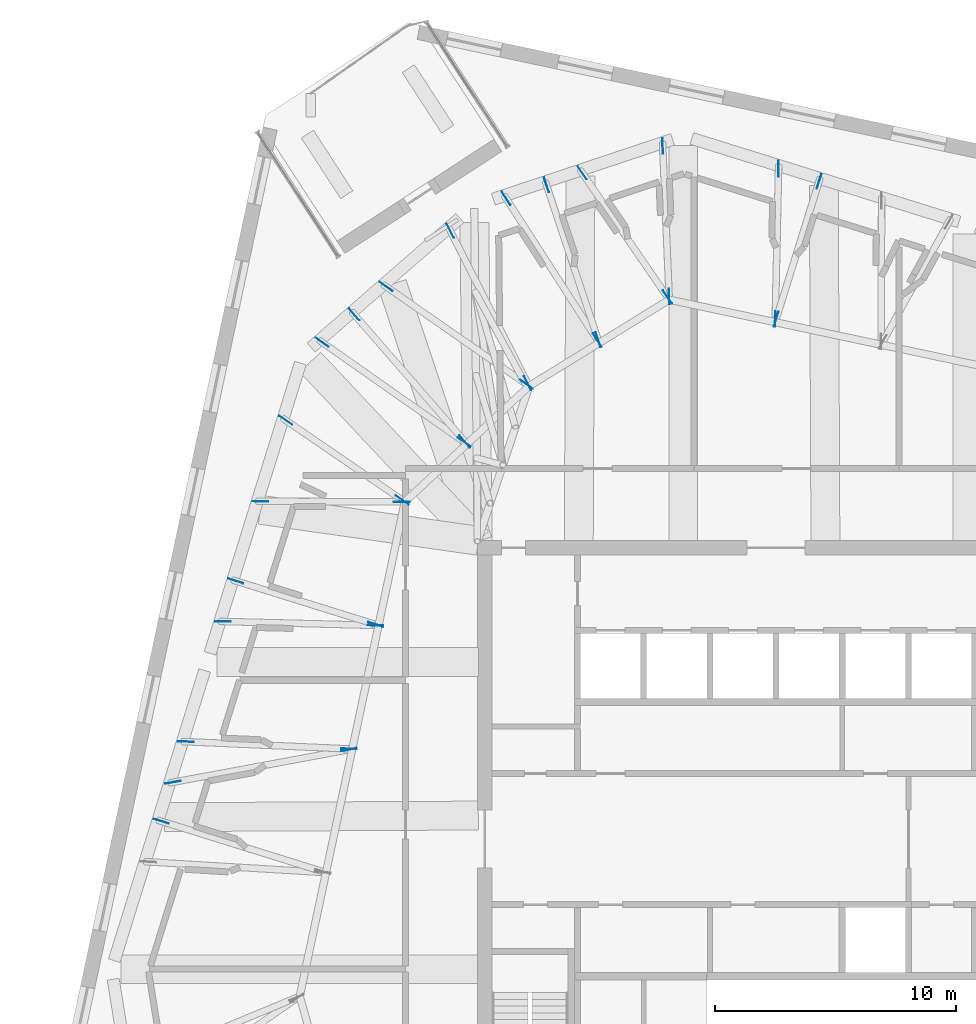
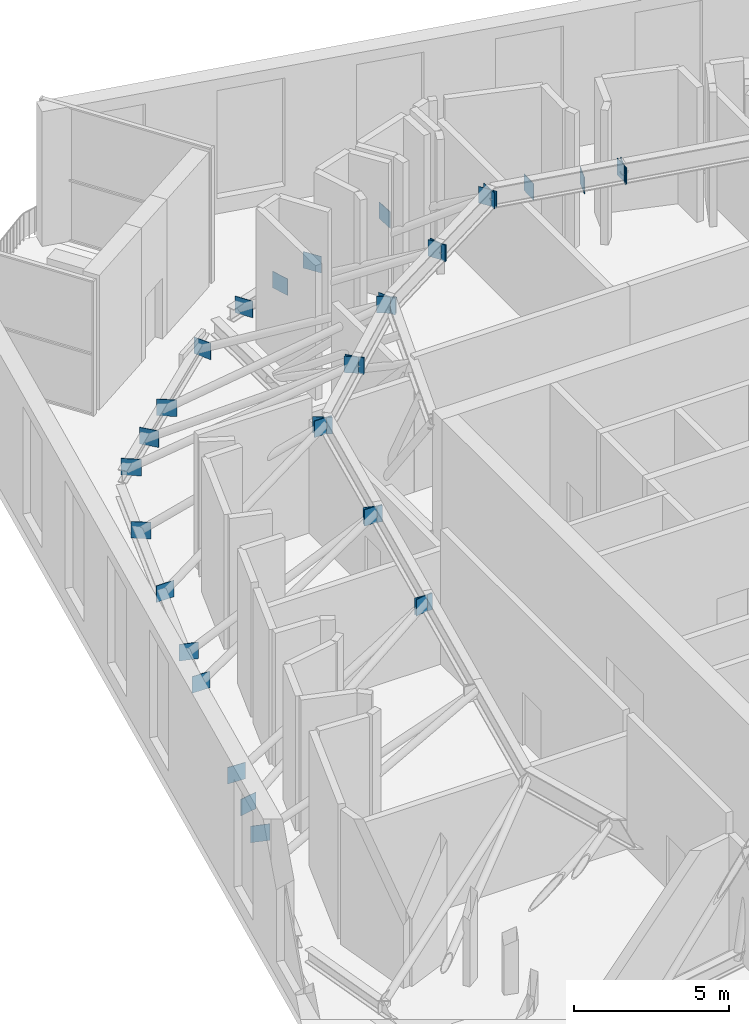
# One storey, part 16 of 19: 33 discrete accessories.
"""IFC4 building model written with IfcOpenShell, lengths in metres."""

from ifc_helpers import new_model, si_unit, direction, frame, origin, origin_2d, place, context, subcontext, project, spatial, rectangle, extrude, material, layer, layer_set, type_object, element, save


model = new_model("IFC4")

# Units and contexts
model_context = context("Model", 3, precision=1e-05, world=origin(), true_north=direction((0.0, 1.0)))
body_context = subcontext(model_context, "Body", "Model", "MODEL_VIEW")
ifc_project = project(units=[si_unit("LENGTHUNIT", "METRE"), si_unit("AREAUNIT", "SQUARE_METRE"), si_unit("VOLUMEUNIT", "CUBIC_METRE"), si_unit("PLANEANGLEUNIT", "RADIAN"), si_unit("MASSUNIT", "GRAM", prefix="KILO")], contexts=[model_context])

# Site, building, storey
site_placement = place(None, origin())
site = spatial("IfcSite", under=ifc_project, at=site_placement, CompositionType="ELEMENT")
building_placement = place(site_placement, origin())
building = spatial("IfcBuilding", under=site, at=building_placement, Name="Dilmun Exchange Tower", CompositionType="ELEMENT")
storey_placement = place(building_placement, frame((0.0, 0.0, 344.5)))
storey = spatial("IfcBuildingStorey", under=building, at=storey_placement, Name="L82", CompositionType="ELEMENT", Elevation=344.5)

# Discrete accessories
ifc_material = material(Name="Steel S355J2", Category="steel")
ifc_layer = layer(ifc_material, 0.02001953125)
ifc_layer_set = layer_set([ifc_layer], Name="Steel S355J2")
discrete_accessory_type = type_object("IfcDiscreteAccessoryType", Name="Gusset plate 20 x 650 x 650", PredefinedType="BRACKET", material=ifc_layer_set)
for number, where, z_axis, x_axis, name in (
    (1, (-10.373779296875, 18.898681640625, 4.4814453125), (0.0, 0.0, 1.0), (-0.82065683894, 0.571421344282, 0.0), "Gusset plate L82-DG01 end 1"),
    (2, (-16.20166015625, 22.95654296875, 0.01171875), (0.0, 0.0, 1.0), (-0.82065683894, 0.571421344282, 0.0), "Gusset plate L82-DG01 end 2"),
    (3, (-10.3232421875, 18.942626953125, 4.4814453125), (0.0, 0.0, 1.0), (-0.452476733778, 0.891776208132, 0.0), "Gusset plate L82-DG02 end 1"),
    (4, (-13.53662109375, 25.275634765625, 0.01171875), (0.0, 0.0, 1.0), (-0.452476733778, 0.891776208132, 0.0), "Gusset plate L82-DG02 end 2"),
    (5, (-12.932373046875, 16.519775390625, 4.480712890625), (0.0, 0.0, 1.0), (-0.656413287966, 0.754401481561, 0.0), "Gusset plate L82-DG03 end 1"),
    (6, (-17.526123046875, 21.79931640625, 0.012451171875), (0.0, 0.0, 1.0), (-0.656413287966, 0.754401481561, 0.0), "Gusset plate L82-DG03 end 2"),
    (7, (-12.95556640625, 16.495849609375, 4.482421875), (0.0, 0.0, 1.0), (-0.818437640362, 0.574595360961, 0.0), "Gusset plate L82-DG04 end 1"),
    (8, (-18.861083984375, 20.641845703125, 0.0107421875), (0.0, 0.0, 1.0), (-0.818437640362, 0.574595360961, 0.0), "Gusset plate L82-DG04 end 2"),
    (9, (-15.553466796875, 14.013427734375, 4.469970703125), (0.0, 0.0, 1.0), (-0.999992768329, 0.003803063273, 0.0), "Gusset plate L82-DG05 end 1"),
    (10, (-21.420166015625, 14.035888671875, 0.023193359375), (0.0, 0.0, 1.0), (-0.999992768329, 0.003803063273, 0.0), "Gusset plate L82-DG05 end 2"),
    (11, (-15.531005859375, 14.086181640625, 4.469970703125), (0.0, 0.0, 1.0), (-0.825160825948, 0.564897876896, 0.0), "Gusset plate L82-DG06 end 1"),
    (12, (-20.371826171875, 17.400146484375, 0.023193359375), (0.0, 0.0, 1.0), (-0.825160825948, 0.564897876896, 0.0), "Gusset plate L82-DG06 end 2"),
    (13, (-16.640625, 8.91650390625, 4.47216796875), (0.0, 0.0, 1.0), (-0.95472705725, 0.297483186341, 0.0), "Gusset plate L82-DG07 end 1"),
    (14, (-22.444091796875, 10.724853515625, 0.02099609375), (0.0, 0.0, 1.0), (-0.95472705725, 0.297483186341, 0.0), "Gusset plate L82-DG07 end 2"),
    (15, (-16.648193359375, 8.880859375, 4.474365234375), (0.0, 0.0, 1.0), (-0.999675889734, 0.02545811236, 0.0), "Gusset plate L82-DG08 end 1"),
    (16, (-22.971923828125, 9.0419921875, 0.0185546875), (0.0, 0.0, 1.0), (-0.999675889734, 0.02545811236, 0.0), "Gusset plate L82-DG08 end 2"),
    (17, (-17.74267578125, 3.748046875, 4.478759765625), (0.0, 0.0, 1.0), (-0.999020463052, 0.044250586464, 0.0), "Gusset plate L82-DG09 end 1"),
    (18, (-24.5244140625, 4.04833984375, 0.014404296875), (0.0, 0.0, 1.0), (-0.999020463052, 0.044250586464, 0.0), "Gusset plate L82-DG09 end 2"),
    (19, (-17.743896484375, 3.716552734375, 4.484130859375), (0.0, 0.0, 1.0), (-0.983262858153, -0.18219262273, 0.0), "Gusset plate L82-DG10 end 1"),
    (20, (-25.05859375, 2.361328125, 0.0087890625), (0.0, 0.0, 1.0), (-0.983262858153, -0.18219262273, 0.0), "Gusset plate L82-DG10 end 2"),
    (21, (-25.548583984375, 0.74169921875, 0.01220703125), (0.0, 0.0, 1.0), (-0.954720826567, 0.297503182032, 0.0), "Gusset plate L82-DG11 end 2"),
    (22, (0.00341796875, 21.60107421875, 4.47119140625), (0.0, 0.0, 1.0), (0.297469855807, 0.954731210805, 0.0), "Gusset plate L82-DG59 end 1"),
    (23, (1.786865234375, 27.3251953125, 0.021728515625), (0.0, 0.0, 1.0), (0.297469855807, 0.954731210805, 0.0), "Gusset plate L82-DG59 end 2"),
    (24, (-0.03271484375, 21.60888671875, 4.4736328125), (0.0, 0.0, 1.0), (0.021903875557, 0.999760081337, 0.0), "Gusset plate L82-DG60 end 1"),
    (25, (0.104248046875, 27.852783203125, 0.01953125), (0.0, 0.0, 1.0), (0.021903875557, 0.999760081337, 0.0), "Gusset plate L82-DG60 end 2"),
    (26, (-4.511962890625, 22.521240234375, 4.473876953125), (0.0, 0.0, 1.0), (-0.565970331165, 0.824425608676, 0.0), "Gusset plate L82-DG61 end 1"),
    (27, (-8.05615234375, 27.68359375, 0.019287109375), (0.0, 0.0, 1.0), (-0.565970331165, 0.824425608676, 0.0), "Gusset plate L82-DG61 end 2"),
    (28, (-4.442626953125, 22.544189453125, 4.473876953125), (0.0, 0.0, 1.0), (-0.042777180281, 0.999084637479, 0.0), "Gusset plate L82-DG62 end 1"),
    (29, (-4.71044921875, 28.800537109375, 0.019287109375), (0.0, 0.0, 1.0), (-0.042777180281, 0.999084637479, 0.0), "Gusset plate L82-DG62 end 2"),
    (30, (-7.39208984375, 20.744873046875, 4.478759765625), (0.0, 0.0, 1.0), (-0.316649146413, 0.948542733922, 0.0), "Gusset plate L82-DG63 end 1"),
    (31, (-9.5400390625, 27.17919921875, 0.014404296875), (0.0, 0.0, 1.0), (-0.316649146413, 0.948542733922, 0.0), "Gusset plate L82-DG63 end 2"),
    (32, (-7.423095703125, 20.731201171875, 4.480712890625), (0.0, 0.0, 1.0), (-0.5413179125, 0.840818005044, 0.0), "Gusset plate L82-DG64 end 1"),
    (33, (-11.21630859375, 26.622802734375, 0.012451171875), (0.0, 0.0, 1.0), (-0.5413179125, 0.840818005044, 0.0), "Gusset plate L82-DG64 end 2"),
):
    element("IfcDiscreteAccessory", number, at=place(storey_placement, frame(where, z_axis=z_axis, x_axis=x_axis)), inside=storey, type_object=discrete_accessory_type, Name=name, PredefinedType="BRACKET", context=body_context, shape_type="SweptSolid", body=[
        extrude(rectangle(XDim=0.64990234375, YDim=0.02001953125, at=origin_2d()), origin(), (0.0, 0.0, 1.0), 0.64990234375),
    ])

save(model, "model.ifc")
